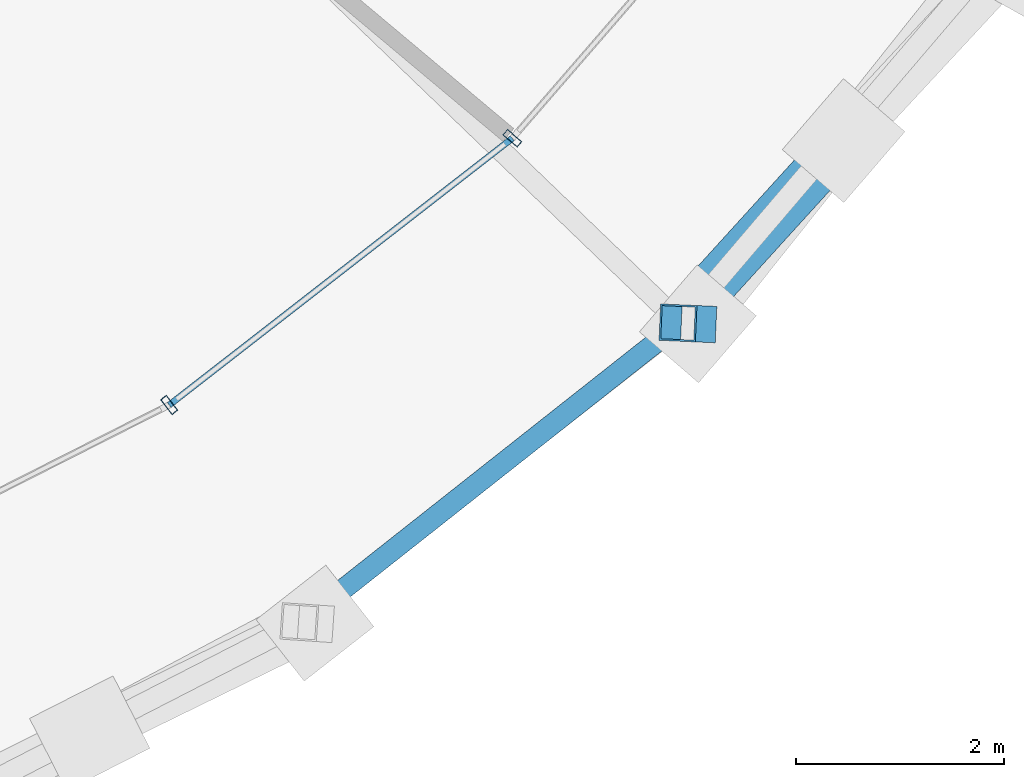
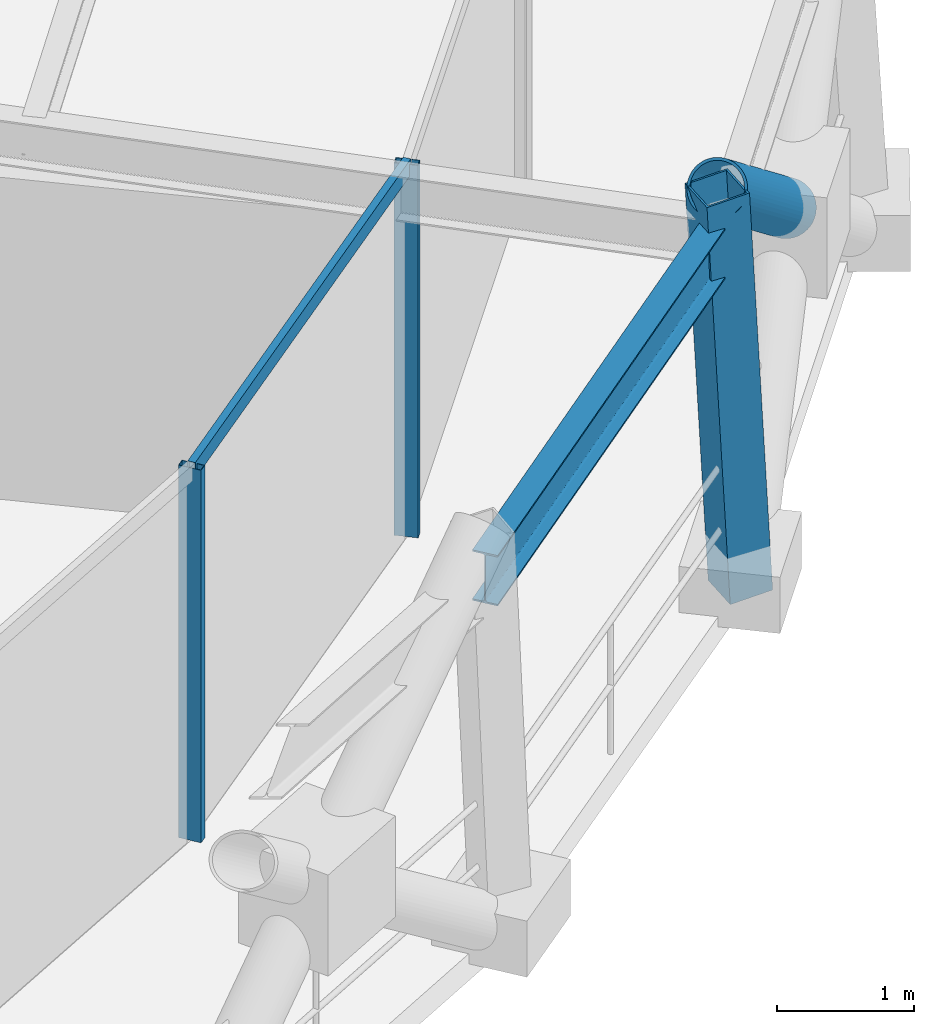
# One storey, part 4 of 18: 5 members, 1 beam, 1 element without a shape of its own.
"""IFC4 building model written with IfcOpenShell, lengths in metres."""

from ifc_helpers import new_model, si_unit, direction, frame, origin, origin_2d, place, context, subcontext, project, spatial, hollow_rectangle, hollow_circle, i_section, extrude, material, layer, layer_set, material_profile, profile_set, type_object, element, aggregate, save


model = new_model("IFC4")

# Units and contexts
model_context = context("Model", 3, precision=1e-05, world=origin(), true_north=direction((0.0, 1.0)))
body_context = subcontext(model_context, "Body", "Model", "MODEL_VIEW")
ifc_project = project(units=[si_unit("LENGTHUNIT", "METRE"), si_unit("AREAUNIT", "SQUARE_METRE"), si_unit("VOLUMEUNIT", "CUBIC_METRE"), si_unit("PLANEANGLEUNIT", "RADIAN"), si_unit("MASSUNIT", "GRAM", prefix="KILO")], contexts=[model_context])

# Site, building, storey
site_placement = place(None, origin())
site = spatial("IfcSite", under=ifc_project, at=site_placement, CompositionType="ELEMENT")
building_placement = place(site_placement, origin())
building = spatial("IfcBuilding", under=site, at=building_placement, Name="Veldorina Hangang Commons", CompositionType="ELEMENT")
storey_placement = place(building_placement, frame((0.0, 0.0, 232.800048828125)))
storey = spatial("IfcBuildingStorey", under=building, at=storey_placement, Name="L60", CompositionType="ELEMENT", Elevation=232.800048828125)

# Beam
ifc_material_1 = material(Name="Steel SM355-TMC", Category="steel")
ifc_material_profile_1 = material_profile(ifc_material_1, i_section(OverallWidth=0.199951171875, OverallDepth=0.449951171875, WebThickness=0.009033203125, FlangeThickness=0.013916015625, FilletRadius=0.01611328125, at=origin_2d()), Name="H-450x200x9x14")
ifc_profile_set_1 = profile_set([ifc_material_profile_1], Name="Steel SM355-TMC")
beam_type = type_object("IfcBeamType", Name="BM-RB450", PredefinedType="BEAM", material=ifc_profile_set_1)
beam_placement = place(storey_placement, frame((45.350830078125, 4.78662109375, 3.135009765625), z_axis=(0.785005340237, 0.619488995705, 0.0), x_axis=(-0.619488995705, 0.785005340237, 0.0)))
element("IfcBeam", 1, at=beam_placement, inside=storey, type_object=beam_type, Name="L60 perimeter hoop ring beam 27", PredefinedType="BEAM", context=body_context, shape_type="SweptSolid", body=[
    extrude(i_section(OverallWidth=0.199951171875, OverallDepth=0.449951171875, WebThickness=0.009033203125, FlangeThickness=0.013916015625, FilletRadius=0.01611328125, at=origin_2d()), origin(), (0.0, 0.0, 1.0), 4.638916015625),
])

# Curtain wall, members
ifc_material_2 = material(Name="Glass Low-E Selective", Category="glass")
ifc_layer = layer(ifc_material_2, 0.179931640625)
ifc_layer_set = layer_set([ifc_layer], Name="Glass Low-E Selective")
curtain_wall_type = type_object("IfcCurtainWallType", Name="CW-SYS-Z3", PredefinedType="NOTDEFINED", material=ifc_layer_set)
curtain_wall_placement = place(storey_placement, origin())
curtain_wall = element("IfcCurtainWall", 2, at=curtain_wall_placement, inside=storey, type_object=curtain_wall_type, Name="L60 unitised curtain wall CW-L60-R1", PredefinedType="NOTDEFINED")
ifc_material_3 = material(Name="Aluminium Anodized AA6063-T6", Category="aluminium")
ifc_material_profile_2 = material_profile(ifc_material_3, hollow_rectangle(XDim=0.070068359375, YDim=0.179931640625, WallThickness=0.00390625, at=origin_2d()), Name="ALU-RHS-180x70x4")
ifc_profile_set_2 = profile_set([ifc_material_profile_2], Name="Aluminium Anodized AA6063-T6")
member_type_1 = type_object("IfcMemberType", Name="CW-MUL-180", PredefinedType="MULLION", material=ifc_profile_set_2)
member_1_placement = place(storey_placement, frame((44.081298828125, 6.873291015625, 0.0), z_axis=(0.0, 0.0, 1.0), x_axis=(0.789502032674, 0.613747945335, 0.0)))
member_1 = element("IfcMember", 3, at=member_1_placement, type_object=member_type_1, Name="CW-L60-R1 vertical mullion 2", PredefinedType="MULLION", context=body_context, shape_type="SweptSolid", body=[
    extrude(hollow_rectangle(XDim=0.070068359375, YDim=0.179931640625, WallThickness=0.00390625, at=origin_2d()), origin(), (0.0, 0.0, 1.0), 3.320068359375),
])
member_2_placement = place(storey_placement, frame((47.376708984375, 9.434814453125, 0.0), z_axis=(0.0, 0.0, 1.0), x_axis=(0.654819962917, 0.755784900726, 0.0)))
member_2 = element("IfcMember", 4, at=member_2_placement, type_object=member_type_1, Name="CW-L60-R1 vertical mullion 3", PredefinedType="MULLION", context=body_context, shape_type="SweptSolid", body=[
    extrude(hollow_rectangle(XDim=0.070068359375, YDim=0.179931640625, WallThickness=0.00390625, at=origin_2d()), origin(), (0.0, 0.0, 1.0), 3.320068359375),
])
ifc_material_profile_3 = material_profile(ifc_material_3, hollow_rectangle(XDim=0.06005859375, YDim=0.139892578125, WallThickness=0.00341796875, at=origin_2d()), Name="ALU-RHS-140x60x3.5")
ifc_profile_set_3 = profile_set([ifc_material_profile_3], Name="Aluminium Anodized AA6063-T6")
member_type_2 = type_object("IfcMemberType", Name="CW-TRN-140", PredefinedType="USERDEFINED", material=ifc_profile_set_3)
member_3_placement = place(storey_placement, frame((44.081298828125, 6.873291015625, 3.280029296875), z_axis=(0.789534859727, 0.613705715532, 0.0), x_axis=(-0.613705715532, 0.789534859727, 0.0)))
member_3 = element("IfcMember", 5, at=member_3_placement, type_object=member_type_2, Name="CW-L60-R1 facet 3 transom 1", ObjectType="TRANSOM", PredefinedType="USERDEFINED", context=body_context, shape_type="SweptSolid", body=[
    extrude(hollow_rectangle(XDim=0.06005859375, YDim=0.139892578125, WallThickness=0.00341796875, at=origin_2d()), origin(), (0.0, 0.0, 1.0), 4.173828125),
])
aggregate(curtain_wall, [member_1, member_2, member_3])

# Members
ifc_material_profile_4 = material_profile(ifc_material_1, hollow_circle(Radius=0.22509765625, WallThickness=0.02197265625, at=origin_2d()), Name="CHS-450x22")
ifc_profile_set_4 = profile_set([ifc_material_profile_4], Name="Steel SM355-TMC")
member_type_3 = type_object("IfcMemberType", Name="DG-CHS450", PredefinedType="BRACE", material=ifc_profile_set_4)
member_4_placement = place(storey_placement, frame((50.558837890625, 9.412353515625, 1.804443359375), z_axis=(-0.535679203188, -0.589526636903, 0.604571034415), x_axis=(0.740098833091, -0.672498116918, 0.0)))
element("IfcMember", 6, at=member_4_placement, inside=storey, type_object=member_type_3, Name="L60 split perimeter diagrid upper brace 29", PredefinedType="BRACE", context=body_context, shape_type="SweptSolid", body=[
    extrude(hollow_circle(Radius=0.22509765625, WallThickness=0.02197265625, at=origin_2d()), origin(), (0.0, 0.0, 1.0), 2.9697265625),
])
ifc_material_profile_5 = material_profile(ifc_material_1, hollow_rectangle(XDim=0.35009765625, YDim=0.35009765625, WallThickness=0.01611328125, at=origin_2d()), Name="SHS-350x350x16")
ifc_profile_set_5 = profile_set([ifc_material_profile_5], Name="Steel SM355-TMC")
member_type_4 = type_object("IfcMemberType", Name="STR-SHS350", PredefinedType="STRUT", material=ifc_profile_set_5)
member_5_placement = place(storey_placement, frame((49.15869140625, 7.653076171875, 0.0), z_axis=(-0.052892814881, 0.002370356621, 0.998597382103), x_axis=(-0.044769407375, -0.998997347426, 0.0)))
element("IfcMember", 7, at=member_5_placement, inside=storey, type_object=member_type_4, Name="L60 perimeter ring node post 28", PredefinedType="STRUT", context=body_context, shape_type="SweptSolid", body=[
    extrude(hollow_rectangle(XDim=0.35009765625, YDim=0.35009765625, WallThickness=0.01611328125, at=origin_2d()), origin(), (0.0, 0.0, 1.0), 3.60498046875),
])

save(model, "model.ifc")
